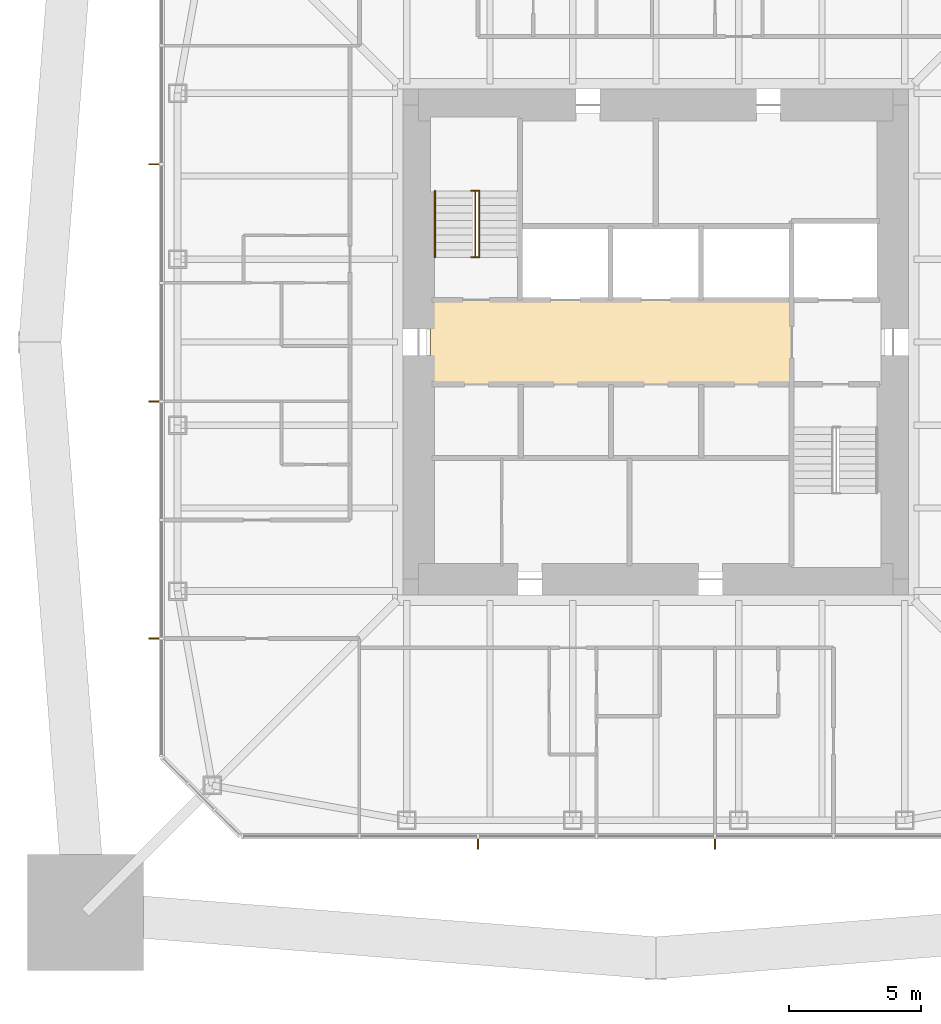
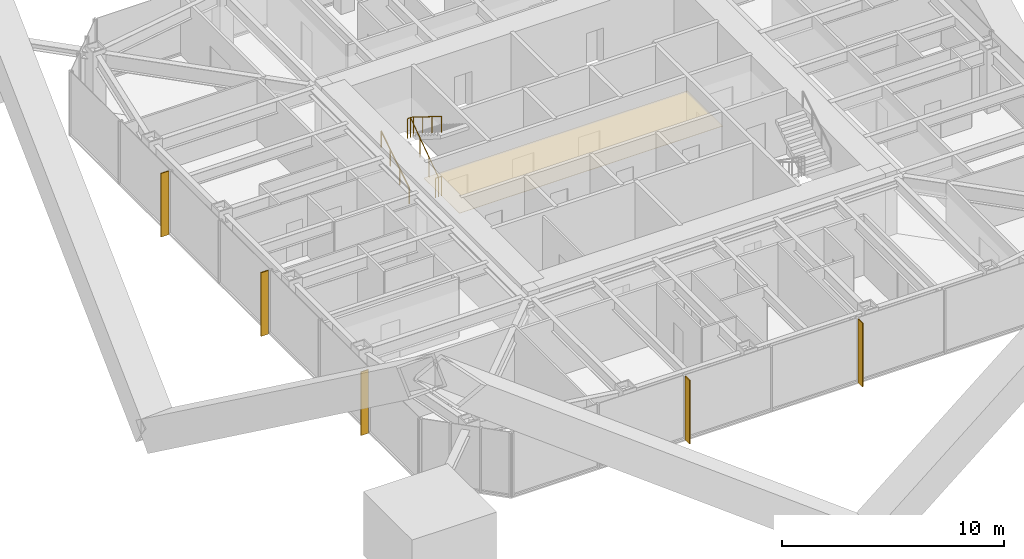
# One storey, part 11 of 13: 5 shading devices, 3 railings, 1 covering.
"""IFC4 building model written with IfcOpenShell, lengths in metres."""

from ifc_helpers import new_model, si_unit, direction, frame, origin, origin_2d, place, context, subcontext, project, spatial, polyline, rectangle, circle, outline, extrude, material, layer, layer_set, constituent, constituent_set, type_object, element, save


model = new_model("IFC4")

# Units and contexts
model_context = context("Model", 3, precision=1e-05, world=origin(), true_north=direction((0.0, 1.0)))
body_context = subcontext(model_context, "Body", "Model", "MODEL_VIEW")
ifc_project = project(units=[si_unit("LENGTHUNIT", "METRE"), si_unit("AREAUNIT", "SQUARE_METRE"), si_unit("VOLUMEUNIT", "CUBIC_METRE"), si_unit("PLANEANGLEUNIT", "RADIAN"), si_unit("MASSUNIT", "GRAM", prefix="KILO")], contexts=[model_context])

# Site, building, storey
site_placement = place(None, origin())
site = spatial("IfcSite", under=ifc_project, at=site_placement, CompositionType="ELEMENT")
building_placement = place(site_placement, origin())
building = spatial("IfcBuilding", under=site, at=building_placement, Name="Iwan Alto Co-Living Towers", CompositionType="ELEMENT")
storey_placement = place(building_placement, frame((0.0, 0.0, 167.0)))
storey = spatial("IfcBuildingStorey", under=building, at=storey_placement, Name="L45", CompositionType="ELEMENT", Elevation=167.0)

# Covering
ifc_material_1 = material(Name="Mineral fibre acoustic tiles on steel grid", Category="steel")
ifc_layer_1 = layer(ifc_material_1, 0.02001953125)
ifc_layer_set_1 = layer_set([ifc_layer_1], Name="ACOUSTIC TILE CEILING 20")
covering_type = type_object("IfcCoveringType", Name="ACOUSTIC TILE CEILING 20", PredefinedType="CEILING", material=ifc_layer_set_1)
covering_placement = place(storey_placement, frame((0.0, 0.0, 2.60009765625)))
element("IfcCovering", 1, at=covering_placement, inside=storey, type_object=covering_type, Name="Ceiling Lift lobby L45", PredefinedType="CEILING", context=body_context, shape_type="SweptSolid", body=[
    extrude(outline(polyline([(-8.550048828125, -1.60009765625), (-8.550048828125, 1.60009765625), (5.14990234375, 1.60009765625), (5.14990234375, -1.60009765625), (-8.550048828125, -1.60009765625)])), origin(), (0.0, 0.0, 1.0), 0.02001953125),
])

# Shading devices
ifc_material_2 = material(Name="Aluminium 6063-T6 bronze anodised", Category="aluminium")
ifc_layer_2 = layer(ifc_material_2, 0.050048828125)
ifc_layer_set_2 = layer_set([ifc_layer_2], Name="BRONZE FIN 50X400")
shading_device_type = type_object("IfcShadingDeviceType", Name="BRONZE FIN 50X400", PredefinedType="USERDEFINED", material=ifc_layer_set_2)
for number, where, z_axis, x_axis, name in (
    (2, (-6.75, -19.050048828125, 0.0), (0.0, 0.0, 1.0), (1.0, 0.0, 0.0), "Bronze fin L45"),
    (3, (2.25, -19.050048828125, 0.0), (0.0, 0.0, 1.0), (1.0, 0.0, 0.0), "Bronze fin L45"),
    (4, (-19.050048828125, 6.75, 0.0), (0.0, 0.0, 1.0), (0.0, -1.0, 0.0), "Bronze fin L45"),
    (5, (-19.050048828125, -2.25, 0.0), (0.0, 0.0, 1.0), (0.0, -1.0, 0.0), "Bronze fin L45"),
    (6, (-19.050048828125, -11.25, 0.0), (0.0, 0.0, 1.0), (0.0, -1.0, 0.0), "Bronze fin L45"),
):
    element("IfcShadingDevice", number, at=place(storey_placement, frame(where, z_axis=z_axis, x_axis=x_axis)), inside=storey, type_object=shading_device_type, Name=name, ObjectType="LOUVER", PredefinedType="USERDEFINED", context=body_context, shape_type="SweptSolid", body=[
        extrude(rectangle(XDim=0.050048828125, YDim=0.39990234375, at=origin_2d()), origin(), (0.0, 0.0, 1.0), 3.5),
    ])

# Railings
ifc_material_3 = material(Name="Steel ASTM A500 Gr C", Category="steel")
ifc_constituent_1 = constituent(ifc_material_3, Name="Rails and posts", Category="Framing")
ifc_material_4 = material(Name="Steel ASTM A36", Category="steel")
ifc_constituent_2 = constituent(ifc_material_4, Name="Bar infill", Category="Infill")
ifc_constituent_set = constituent_set(constituents=[ifc_constituent_1, ifc_constituent_2], Name="STAIR GUARD 1100")
railing_type_1 = type_object("IfcRailingType", Name="STAIR GUARD 1100", PredefinedType="GUARDRAIL", material=ifc_constituent_set)
railing_1_placement = place(storey_placement, frame((-6.85009765625, 3.219970703125, 0.0)))
element("IfcRailing", 7, at=railing_1_placement, inside=storey, type_object=railing_type_1, Name="Stair T1-S1 well guard L45", PredefinedType="GUARDRAIL", context=body_context, shape_type="SweptSolid", body=[
    extrude(circle(Radius=0.02392578125, at=origin_2d()), frame((0.0, 0.0, 1.076171875), z_axis=(0.0, 0.821372036852, 0.570392826987), x_axis=(-1.0, 0.0, 0.0)), (0.0, 0.0, 1.0), 3.068115234375),
    extrude(circle(Radius=0.02392578125, at=origin_2d()), frame((-0.14990234375, 0.0, 1.076171875), z_axis=(1.0, 0.0, 0.0), x_axis=(0.0, 1.0, 0.0)), (0.0, 0.0, 1.0), 0.300048828125),
    extrude(circle(Radius=0.02392578125, at=origin_2d()), frame((-0.14990234375, 2.52001953125, 2.826171875), z_axis=(1.0, 0.0, 0.0), x_axis=(0.0, 1.0, 0.0)), (0.0, 0.0, 1.0), 0.300048828125),
    extrude(circle(Radius=0.02099609375, at=origin_2d()), origin(), (0.0, 0.0, 1.0), 1.052001953125),
    extrude(circle(Radius=0.02099609375, at=origin_2d()), frame((0.0, 0.840087890625, 0.583251953125)), (0.0, 0.0, 1.0), 1.052001953125),
    extrude(circle(Radius=0.02099609375, at=origin_2d()), frame((0.0, 1.679931640625, 1.166748046875)), (0.0, 0.0, 1.0), 1.052001953125),
    extrude(circle(Radius=0.02099609375, at=origin_2d()), frame((0.0, 2.52001953125, 1.75)), (0.0, 0.0, 1.0), 1.052001953125),
    extrude(circle(Radius=0.02099609375, at=origin_2d()), frame((-0.14990234375, 0.0, 0.0)), (0.0, 0.0, 1.0), 1.052001953125),
    extrude(circle(Radius=0.02099609375, at=origin_2d()), frame((0.150146484375, 0.0, 0.0)), (0.0, 0.0, 1.0), 1.052001953125),
    extrude(circle(Radius=0.02099609375, at=origin_2d()), frame((-0.14990234375, 2.52001953125, 1.75)), (0.0, 0.0, 1.0), 1.052001953125),
    extrude(circle(Radius=0.02099609375, at=origin_2d()), frame((0.150146484375, 2.52001953125, 1.75)), (0.0, 0.0, 1.0), 1.052001953125),
])
ifc_material_5 = material(Name="Steel ASTM A500 Gr C", Category="steel")
railing_type_2 = type_object("IfcRailingType", Name="STAIR HANDRAIL 900", PredefinedType="HANDRAIL", material=ifc_material_5)
railing_2_placement = place(storey_placement, frame((-8.3798828125, 3.219970703125, 0.175048828125)))
element("IfcRailing", 8, at=railing_2_placement, inside=storey, type_object=railing_type_2, Name="Stair T1-S1 handrail 1 L45", PredefinedType="HANDRAIL", context=body_context, shape_type="SweptSolid", body=[
    extrude(circle(Radius=0.02392578125, at=origin_2d()), frame((0.0, 0.0, 0.8759765625), z_axis=(0.0, 0.848007534815, 0.529984170421), x_axis=(-1.0, 0.0, 0.0)), (0.0, 0.0, 1.0), 2.9716796875),
    extrude(circle(Radius=0.02099609375, at=origin_2d()), origin(), (0.0, 0.0, 1.0), 0.851806640625),
    extrude(circle(Radius=0.02099609375, at=origin_2d()), frame((0.0, 0.840087890625, 0.52490234375)), (0.0, 0.0, 1.0), 0.851806640625),
    extrude(circle(Radius=0.02099609375, at=origin_2d()), frame((0.0, 1.679931640625, 1.050048828125)), (0.0, 0.0, 1.0), 0.851806640625),
    extrude(circle(Radius=0.02099609375, at=origin_2d()), frame((0.0, 2.52001953125, 1.574951171875)), (0.0, 0.0, 1.0), 0.851806640625),
])
railing_3_placement = place(storey_placement, frame((-6.699951171875, 5.739990234375, 1.925048828125)))
element("IfcRailing", 9, at=railing_3_placement, inside=storey, type_object=railing_type_2, Name="Stair T1-S1 handrail 2 L45", PredefinedType="HANDRAIL", context=body_context, shape_type="SweptSolid", body=[
    extrude(circle(Radius=0.02392578125, at=origin_2d()), frame((0.0, 0.0, 0.8759765625), z_axis=(0.0, -0.848007534815, 0.529984170421), x_axis=(1.0, 0.0, 0.0)), (0.0, 0.0, 1.0), 2.9716796875),
    extrude(circle(Radius=0.02099609375, at=origin_2d()), origin(), (0.0, 0.0, 1.0), 0.851806640625),
    extrude(circle(Radius=0.02099609375, at=origin_2d()), frame((0.0, -0.840087890625, 0.52490234375)), (0.0, 0.0, 1.0), 0.851806640625),
    extrude(circle(Radius=0.02099609375, at=origin_2d()), frame((0.0, -1.679931640625, 1.050048828125)), (0.0, 0.0, 1.0), 0.851806640625),
    extrude(circle(Radius=0.02099609375, at=origin_2d()), frame((0.0, -2.52001953125, 1.574951171875)), (0.0, 0.0, 1.0), 0.851806640625),
])

save(model, "model.ifc")
